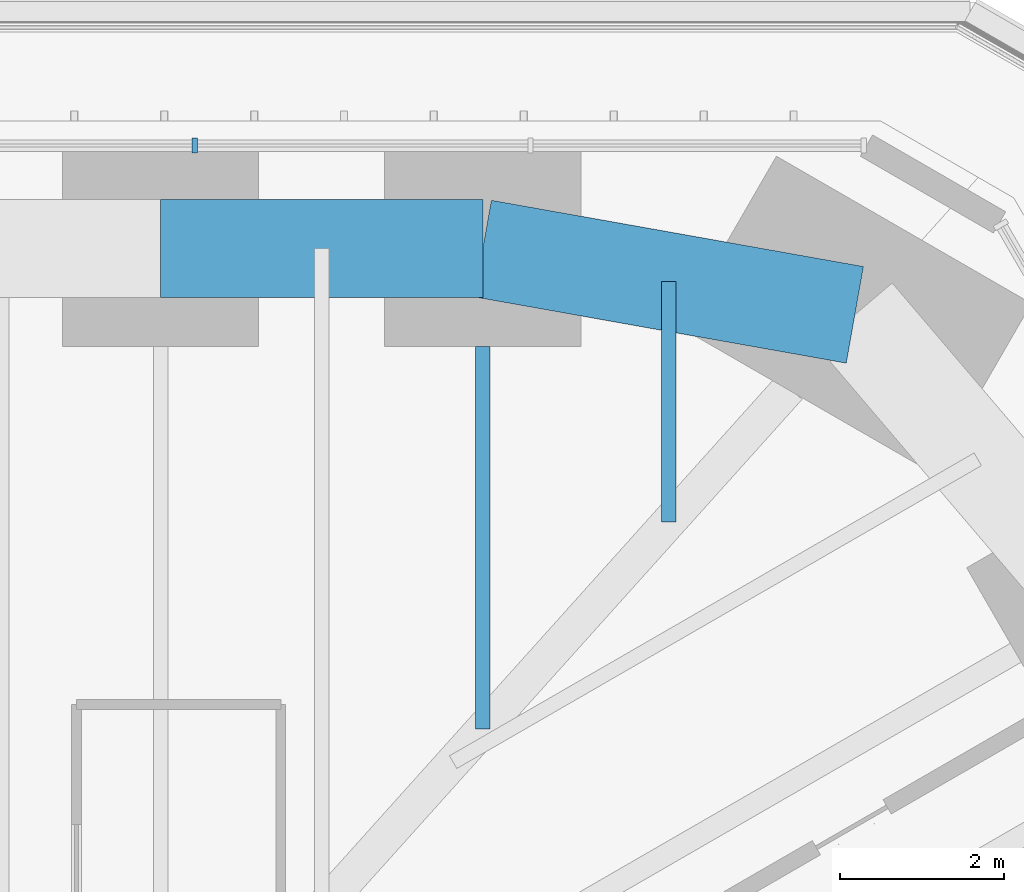
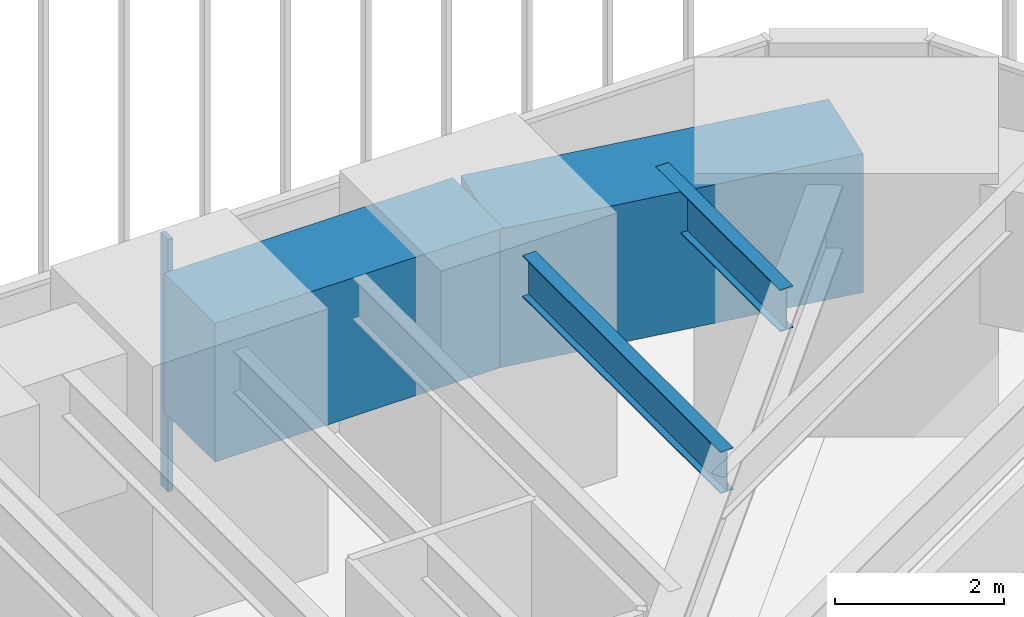
# One storey, part 209 of 238: 4 beams, 1 member, 1 element without a shape of its own.
"""IFC4 building model written with IfcOpenShell, lengths in metres."""

from ifc_helpers import new_model, si_unit, direction, frame, origin, origin_2d, place, context, subcontext, project, spatial, rectangle, i_section, extrude, material, material_profile, profile_set, type_object, element, aggregate, save


model = new_model("IFC4")

# Units and contexts
model_context = context("Model", 3, precision=1e-05, world=origin(), true_north=direction((0.0, 1.0)))
body_context = subcontext(model_context, "Body", "Model", "MODEL_VIEW")
ifc_project = project(units=[si_unit("LENGTHUNIT", "METRE"), si_unit("AREAUNIT", "SQUARE_METRE"), si_unit("VOLUMEUNIT", "CUBIC_METRE"), si_unit("PLANEANGLEUNIT", "RADIAN"), si_unit("MASSUNIT", "GRAM", prefix="KILO")], contexts=[model_context])

# Site, building, storey
site_placement = place(None, origin())
site = spatial("IfcSite", under=ifc_project, at=site_placement, CompositionType="ELEMENT")
building_placement = place(site_placement, origin())
building = spatial("IfcBuilding", under=site, at=building_placement, Name="Sandreach Pilgrim Tower", CompositionType="ELEMENT")
storey_placement = place(building_placement, frame((0.0, 0.0, 96.800048828125)))
storey = spatial("IfcBuildingStorey", under=building, at=storey_placement, Name="L23", CompositionType="ELEMENT", Elevation=96.800048828125)

# Curtain wall, member
ifc_material_1 = material(Name="Aluminium framed curtain wall", Category="aluminium")
curtain_wall_type = type_object("IfcCurtainWallType", Name="Hotel tower curtain wall", PredefinedType="NOTDEFINED", material=ifc_material_1)
curtain_wall_placement = place(storey_placement, origin())
curtain_wall = element("IfcCurtainWall", 1, at=curtain_wall_placement, inside=storey, type_object=curtain_wall_type, Name="CW-2 L23 N", PredefinedType="NOTDEFINED")
ifc_material_2 = material(Name="Aluminium extrusion", Category="aluminium")
ifc_material_profile_1 = material_profile(ifc_material_2, rectangle(XDim=0.06494140625, YDim=0.179931640625, at=origin_2d()), Name="CW-2M 65X180")
ifc_profile_set_1 = profile_set([ifc_material_profile_1], Name="Aluminium extrusion")
member_type = type_object("IfcMemberType", Name="CW-2 mullion", PredefinedType="MULLION", material=ifc_profile_set_1)
member_placement = place(storey_placement, frame((10.267333984375, 22.493896484375, 0.0), z_axis=(0.0, 0.0, 1.0), x_axis=(1.0, 0.0, 0.0)))
member = element("IfcMember", 2, at=member_placement, type_object=member_type, Name="CW-2 mullion 8", PredefinedType="MULLION", context=body_context, shape_type="SweptSolid", body=[
    extrude(rectangle(XDim=0.06494140625, YDim=0.179931640625, at=origin_2d()), origin(), (0.0, 0.0, 1.0), 3.639892578125),
])
aggregate(curtain_wall, [member])

# Beams
ifc_material_3 = material(Name="Steel ASTM A992 Grade 50", Category="steel")
ifc_material_profile_2 = material_profile(ifc_material_3, i_section(OverallWidth=0.1787109375, OverallDepth=0.60205078125, WebThickness=0.010986328125, FlangeThickness=0.014892578125, at=origin_2d()), Name="W24X62")
ifc_profile_set_2 = profile_set([ifc_material_profile_2], Name="Steel ASTM A992 Grade 50")
beam_type_1 = type_object("IfcBeamType", Name="Floor beam W24X62", PredefinedType="BEAM", material=ifc_profile_set_2)
beam_1_placement = place(storey_placement, frame((13.789794921875, 20.03369140625, 3.3388671875), z_axis=(0.0, -1.0, 0.0), x_axis=(1.0, 0.0, 0.0)))
element("IfcBeam", 3, at=beam_1_placement, inside=storey, type_object=beam_type_1, Name="BM L23 F08", PredefinedType="BEAM", context=body_context, shape_type="SweptSolid", body=[
    extrude(i_section(OverallWidth=0.1787109375, OverallDepth=0.60205078125, WebThickness=0.010986328125, FlangeThickness=0.014892578125, at=origin_2d()), origin(), (0.0, 0.0, 1.0), 4.676513671875),
])
beam_2_placement = place(storey_placement, frame((16.064697265625, 20.828857421875, 3.3388671875), z_axis=(0.0, -1.0, 0.0), x_axis=(1.0, 0.0, 0.0)))
element("IfcBeam", 4, at=beam_2_placement, inside=storey, type_object=beam_type_1, Name="BM L23 FM08", PredefinedType="BEAM", context=body_context, shape_type="SweptSolid", body=[
    extrude(i_section(OverallWidth=0.1787109375, OverallDepth=0.60205078125, WebThickness=0.010986328125, FlangeThickness=0.014892578125, at=origin_2d()), origin(), (0.0, 0.0, 1.0), 2.938232421875),
])
ifc_material_4 = material(Name="Concrete 10000 psi", Category="concrete")
ifc_material_profile_3 = material_profile(ifc_material_4, rectangle(XDim=1.199951171875, YDim=2.0, at=origin_2d()), Name="RC1200X2000")
ifc_profile_set_3 = profile_set([ifc_material_profile_3], Name="Concrete 10000 psi")
beam_type_2 = type_object("IfcBeamType", Name="Spandrel beam RC1200X2000", PredefinedType="SPANDREL", material=ifc_profile_set_3)
beam_3_placement = place(storey_placement, frame((9.849853515625, 21.23388671875, 2.639892578125), z_axis=(1.0, 0.0, 0.0), x_axis=(0.0, 1.0, 0.0)))
element("IfcBeam", 5, at=beam_3_placement, inside=storey, type_object=beam_type_2, Name="BM L23 SP07", PredefinedType="SPANDREL", context=body_context, shape_type="SweptSolid", body=[
    extrude(rectangle(XDim=1.199951171875, YDim=2.0, at=origin_2d()), origin(), (0.0, 0.0, 1.0), 3.93994140625),
])
beam_4_placement = place(storey_placement, frame((13.789794921875, 21.23388671875, 2.639892578125), z_axis=(0.984515938739, -0.175295083699, 0.0), x_axis=(0.175295083699, 0.984515938739, 0.0)))
element("IfcBeam", 6, at=beam_4_placement, inside=storey, type_object=beam_type_2, Name="BM L23 SP08", PredefinedType="SPANDREL", context=body_context, shape_type="SweptSolid", body=[
    extrude(rectangle(XDim=1.199951171875, YDim=2.0, at=origin_2d()), origin(), (0.0, 0.0, 1.0), 4.62109375),
])

save(model, "model.ifc")
